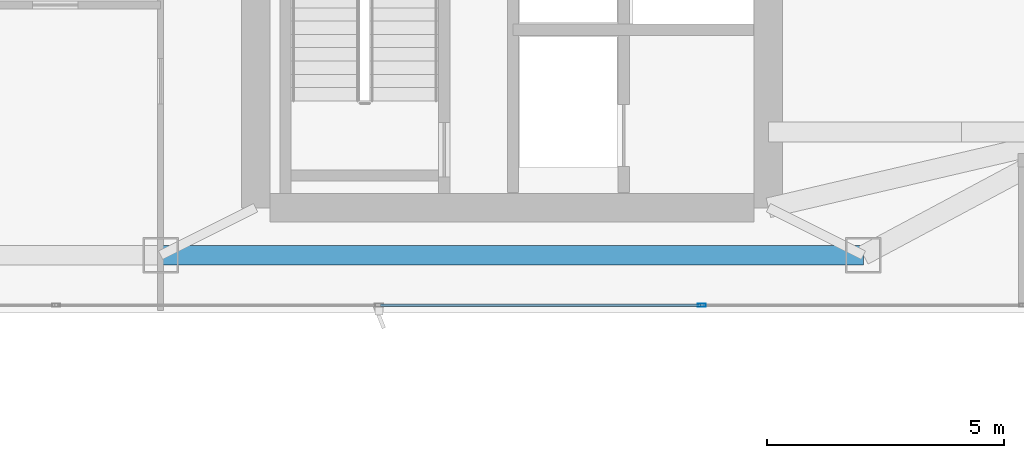
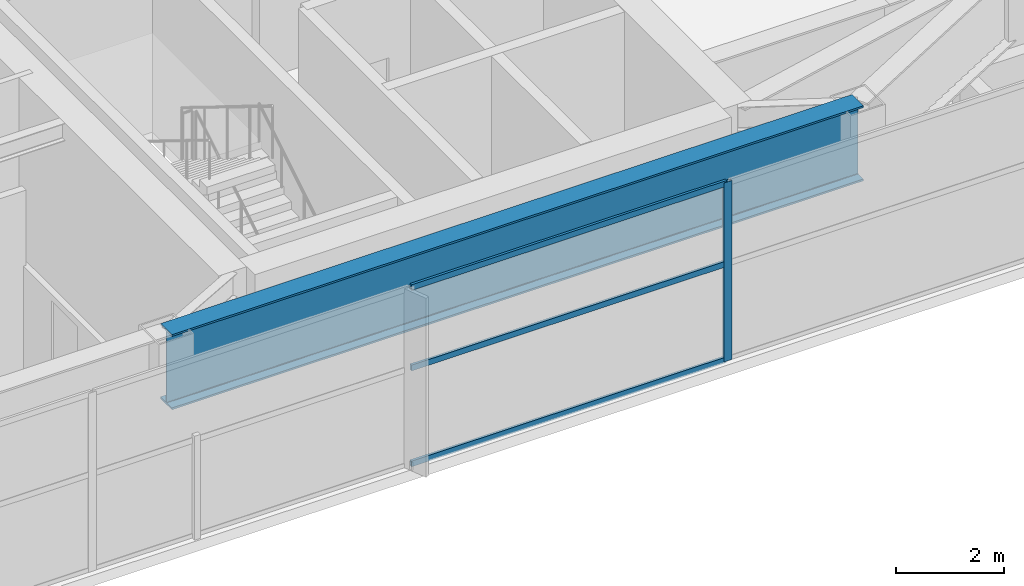
# One storey, part 7 of 26: 4 members, 1 beam, 1 element without a shape of its own.
"""IFC4 building model written with IfcOpenShell, lengths in metres."""

from ifc_helpers import new_model, si_unit, direction, frame, origin, origin_2d, place, context, subcontext, project, spatial, hollow_rectangle, i_section, extrude, material, layer, layer_set, material_profile, profile_set, type_object, element, aggregate, save


model = new_model("IFC4")

# Units and contexts
model_context = context("Model", 3, precision=1e-05, world=origin(), true_north=direction((0.0, 1.0)))
body_context = subcontext(model_context, "Body", "Model", "MODEL_VIEW")
ifc_project = project(units=[si_unit("LENGTHUNIT", "METRE"), si_unit("AREAUNIT", "SQUARE_METRE"), si_unit("VOLUMEUNIT", "CUBIC_METRE"), si_unit("PLANEANGLEUNIT", "RADIAN"), si_unit("MASSUNIT", "GRAM", prefix="KILO")], contexts=[model_context])

# Site, building, storey
site_placement = place(None, origin())
site = spatial("IfcSite", under=ifc_project, at=site_placement, CompositionType="ELEMENT")
building_placement = place(site_placement, origin())
building = spatial("IfcBuilding", under=site, at=building_placement, Name="Calvorn Quay Hotel", CompositionType="ELEMENT")
storey_placement = place(building_placement, frame((0.0, 0.0, 302.5)))
storey = spatial("IfcBuildingStorey", under=building, at=storey_placement, Name="L75", CompositionType="ELEMENT", Elevation=302.5)

# Beam
ifc_material_1 = material(Name="Steel Q420GJC", Category="steel")
ifc_material_profile_1 = material_profile(ifc_material_1, i_section(OverallWidth=0.419921875, OverallDepth=1.699951171875, WebThickness=0.02392578125, FlangeThickness=0.0419921875, FilletRadius=0.02392578125, at=origin_2d()), Name="HN1700x420x24x42")
ifc_profile_set_1 = profile_set([ifc_material_profile_1], Name="Steel Q420GJC")
beam_type = type_object("IfcBeamType", Name="BM-XFER-SAWTOOTH", PredefinedType="BEAM", material=ifc_profile_set_1)
beam_placement = place(storey_placement, frame((19.60009765625, 3.60009765625, 3.199951171875), z_axis=(1.0, 0.0, 0.0), x_axis=(0.0, 1.0, 0.0)))
element("IfcBeam", 1, at=beam_placement, inside=storey, type_object=beam_type, Name="Beam BSP-L75-S3", PredefinedType="BEAM", context=body_context, shape_type="SweptSolid", body=[
    extrude(i_section(OverallWidth=0.419921875, OverallDepth=1.699951171875, WebThickness=0.02392578125, FlangeThickness=0.0419921875, FilletRadius=0.02392578125, at=origin_2d()), origin(), (0.0, 0.0, 1.0), 14.7998046875),
])

# Curtain wall, members
ifc_material_2 = material(Name="Champagne Bronze Anodised Aluminium and Low-E Glass", Category="aluminium")
ifc_layer = layer(ifc_material_2, 0.219970703125)
ifc_layer_set = layer_set([ifc_layer], Name="CW-SYS-Z4")
curtain_wall_type = type_object("IfcCurtainWallType", Name="CW-SYS-Z4", PredefinedType="NOTDEFINED", material=ifc_layer_set)
curtain_wall_placement = place(storey_placement, origin())
curtain_wall = element("IfcCurtainWall", 2, at=curtain_wall_placement, inside=storey, type_object=curtain_wall_type, Name="Tower South Waterfront Curtain Wall (L75)", PredefinedType="NOTDEFINED")
ifc_material_3 = material(Name="Champagne Bronze Anodised Aluminium 6063-T6", Category="aluminium")
ifc_material_profile_2 = material_profile(ifc_material_3, hollow_rectangle(XDim=0.06494140625, YDim=0.169921875, WallThickness=0.00341796875, at=origin_2d()), Name="ALU-M170x65x3.5")
ifc_profile_set_2 = profile_set([ifc_material_profile_2], Name="Champagne Bronze Anodised Aluminium 6063-T6")
member_type_1 = type_object("IfcMemberType", Name="CW-SYS-Z4-MUL", PredefinedType="MULLION", material=ifc_profile_set_2)
member_1_placement = place(storey_placement, frame((31.0, 2.550048828125, 0.0), z_axis=(0.0, 0.0, 1.0), x_axis=(0.0, 1.0, 0.0)))
member_1 = element("IfcMember", 3, at=member_1_placement, type_object=member_type_1, Name="CW-L75-S mullion 4", PredefinedType="MULLION", context=body_context, shape_type="SweptSolid", body=[
    extrude(hollow_rectangle(XDim=0.06494140625, YDim=0.169921875, WallThickness=0.00341796875, at=origin_2d()), origin(), (0.0, 0.0, 1.0), 4.050048828125),
])
ifc_material_4 = material(Name="Champagne Bronze Anodised Aluminium 6063-T6", Category="aluminium")
ifc_material_profile_3 = material_profile(ifc_material_4, hollow_rectangle(XDim=0.054931640625, YDim=0.1298828125, WallThickness=0.003173828125, at=origin_2d()), Name="ALU-T130x55x3.2")
ifc_profile_set_3 = profile_set([ifc_material_profile_3], Name="Champagne Bronze Anodised Aluminium 6063-T6")
member_type_2 = type_object("IfcMemberType", Name="CW-SYS-Z4-TRN", PredefinedType="USERDEFINED", material=ifc_profile_set_3)
member_2_placement = place(storey_placement, frame((24.22998046875, 2.550048828125, 0.030029296875), z_axis=(1.0, 0.0, 0.0), x_axis=(0.0, 1.0, 0.0)))
member_2 = element("IfcMember", 4, at=member_2_placement, type_object=member_type_2, Name="CW-L75-S transom 3.1", ObjectType="TRANSOM", PredefinedType="USERDEFINED", context=body_context, shape_type="SweptSolid", body=[
    extrude(hollow_rectangle(XDim=0.054931640625, YDim=0.1298828125, WallThickness=0.003173828125, at=origin_2d()), origin(), (0.0, 0.0, 1.0), 6.739990234375),
])
member_3_placement = place(storey_placement, frame((24.22998046875, 2.550048828125, 2.199951171875), z_axis=(1.0, 0.0, 0.0), x_axis=(0.0, 1.0, 0.0)))
member_3 = element("IfcMember", 5, at=member_3_placement, type_object=member_type_2, Name="CW-L75-S transom 3.2", ObjectType="TRANSOM", PredefinedType="USERDEFINED", context=body_context, shape_type="SweptSolid", body=[
    extrude(hollow_rectangle(XDim=0.054931640625, YDim=0.1298828125, WallThickness=0.003173828125, at=origin_2d()), origin(), (0.0, 0.0, 1.0), 6.739990234375),
])
member_4_placement = place(storey_placement, frame((24.22998046875, 2.550048828125, 4.02001953125), z_axis=(1.0, 0.0, 0.0), x_axis=(0.0, 1.0, 0.0)))
member_4 = element("IfcMember", 6, at=member_4_placement, type_object=member_type_2, Name="CW-L75-S transom 3.3", ObjectType="TRANSOM", PredefinedType="USERDEFINED", context=body_context, shape_type="SweptSolid", body=[
    extrude(hollow_rectangle(XDim=0.054931640625, YDim=0.1298828125, WallThickness=0.003173828125, at=origin_2d()), origin(), (0.0, 0.0, 1.0), 6.739990234375),
])
aggregate(curtain_wall, [member_1, member_2, member_3, member_4])

save(model, "model.ifc")
